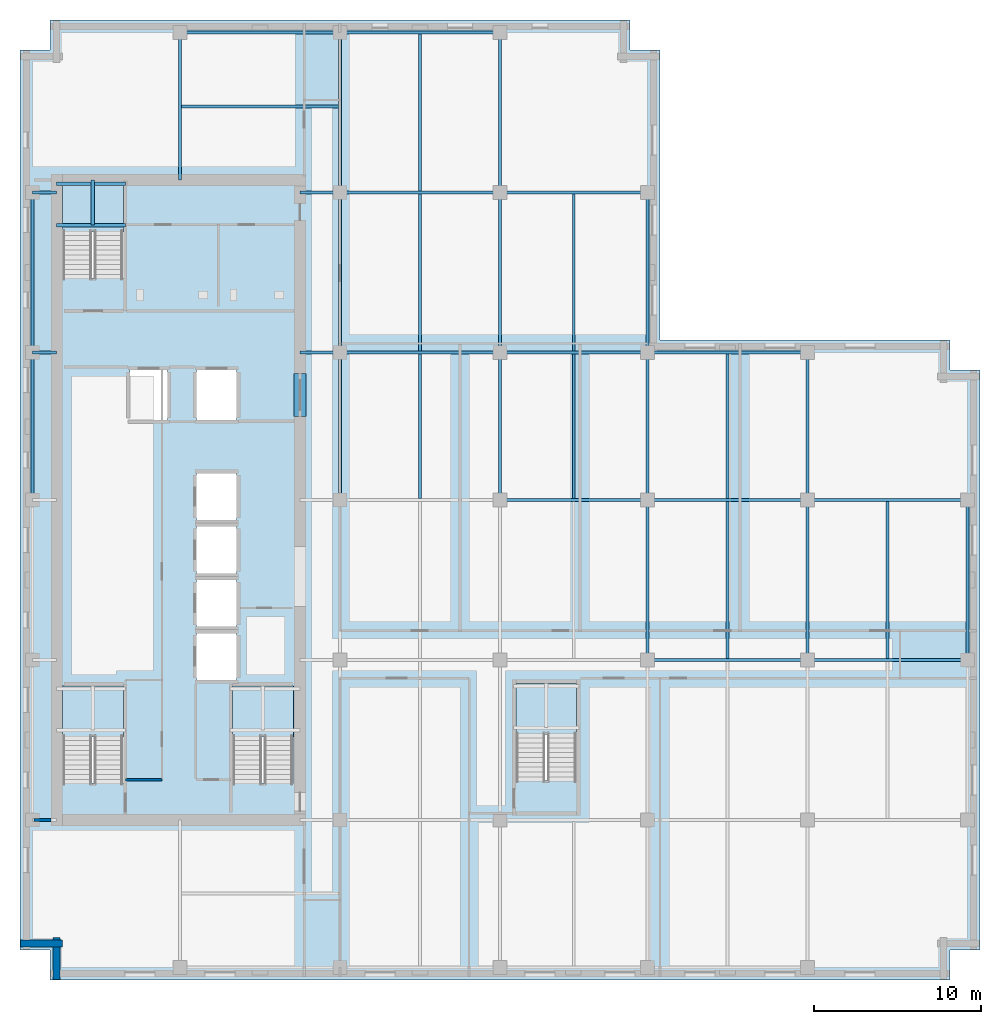
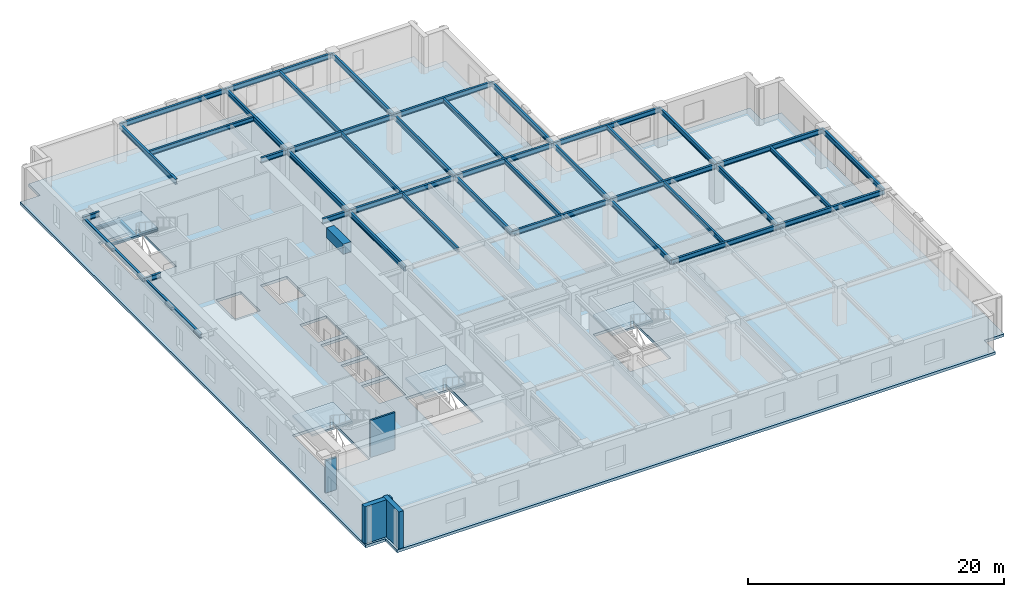
# One storey, part 2 of 11: 44 beams, 5 slabs, 4 walls, 4 elements without a shape of their own.
"""IFC4 building model written with IfcOpenShell, lengths in metres."""

from ifc_helpers import new_model, si_unit, direction, frame, frame_2d, origin, origin_2d, place, context, subcontext, project, spatial, polyline, rectangle, i_section, outline, extrude, material, layer, layer_set, material_profile, profile_set, type_object, element, aggregate, save


model = new_model("IFC4")

# Units and contexts
model_context = context("Model", 3, precision=1e-05, world=origin(), true_north=direction((0.0, 1.0)))
body_context = subcontext(model_context, "Body", "Model", "MODEL_VIEW")
ifc_project = project(units=[si_unit("LENGTHUNIT", "METRE"), si_unit("AREAUNIT", "SQUARE_METRE"), si_unit("VOLUMEUNIT", "CUBIC_METRE"), si_unit("PLANEANGLEUNIT", "RADIAN"), si_unit("MASSUNIT", "GRAM", prefix="KILO")], contexts=[model_context])

# Site, building, storey
site_placement = place(None, origin())
site = spatial("IfcSite", under=ifc_project, at=site_placement, CompositionType="ELEMENT")
building_placement = place(site_placement, origin())
building = spatial("IfcBuilding", under=site, at=building_placement, Name="Norrvale University Quadrangle", CompositionType="ELEMENT")
storey_placement = place(building_placement, frame((0.0, 0.0, 210.39990234375)))
storey = spatial("IfcBuildingStorey", under=building, at=storey_placement, Name="L53", CompositionType="ELEMENT", Elevation=210.39990234375)

# Beams
ifc_material_1 = material(Name="Concrete C80/95", Category="concrete")
ifc_material_profile_1 = material_profile(ifc_material_1, rectangle(XDim=0.699951171875, YDim=0.949951171875, at=origin_2d()), Name="Concrete C80/95")
ifc_profile_set_1 = profile_set([ifc_material_profile_1], Name="Concrete C80/95")
beam_type_1 = type_object("IfcBeamType", Name="Beam Core Link 700x950", PredefinedType="LINTEL", material=ifc_profile_set_1)
beam_1_placement = place(storey_placement, frame((16.800048828125, 33.800048828125, 3.065185546875), z_axis=(0.0, 1.0, 0.0), x_axis=(-1.0, 0.0, 0.0)))
element("IfcBeam", 1, at=beam_1_placement, inside=storey, type_object=beam_type_1, Name="Core Coupling Lintel Beam L53-2", PredefinedType="LINTEL", context=body_context, shape_type="SweptSolid", body=[
    extrude(rectangle(XDim=0.699951171875, YDim=0.949951171875, at=origin_2d()), origin(), (0.0, 0.0, 1.0), 2.599853515625),
])
ifc_material_2 = material(Name="Steel 350W", Category="steel")
ifc_material_profile_2 = material_profile(ifc_material_2, i_section(OverallWidth=0.194091796875, OverallDepth=0.468994140625, WebThickness=0.0126953125, FlangeThickness=0.0205078125, FilletRadius=0.012939453125, at=origin_2d()), Name="Steel 350W")
ifc_profile_set_2 = profile_set([ifc_material_profile_2], Name="Steel 350W")
beam_type_2 = type_object("IfcBeamType", Name="Beam Floor W460x106", PredefinedType="BEAM", material=ifc_profile_set_2)
for number, where, z_axis, x_axis, name in (
    (2, (37.64990234375, 19.199951171875, 3.3056640625), (1.0, 0.0, 0.0), (0.0, 1.0, 0.0), "Beam Floor W460x106 BM-L53-GX011"),
    (3, (47.25, 19.199951171875, 3.3056640625), (1.0, 0.0, 0.0), (0.0, 1.0, 0.0), "Beam Floor W460x106 BM-L53-GX012"),
):
    element("IfcBeam", number, at=place(storey_placement, frame(where, z_axis=z_axis, x_axis=x_axis)), inside=storey, type_object=beam_type_2, Name=name, PredefinedType="BEAM", context=body_context, shape_type="SweptSolid", body=[
        extrude(i_section(OverallWidth=0.194091796875, OverallDepth=0.468994140625, WebThickness=0.0126953125, FlangeThickness=0.0205078125, FilletRadius=0.012939453125, at=origin_2d()), origin(), (0.0, 0.0, 1.0), 9.60009765625),
    ])
beam_2_placement = place(storey_placement, frame((28.800048828125, 28.800048828125, 3.3056640625), z_axis=(1.0, 0.0, 0.0), x_axis=(0.0, 1.0, 0.0)))
element("IfcBeam", 4, at=beam_2_placement, inside=storey, type_object=beam_type_2, Name="Beam Floor W460x106 BM-L53-GX014", PredefinedType="BEAM", context=body_context, shape_type="SweptSolid", body=[
    extrude(i_section(OverallWidth=0.194091796875, OverallDepth=0.468994140625, WebThickness=0.0126953125, FlangeThickness=0.0205078125, FilletRadius=0.012939453125, at=origin_2d()), origin(), (0.0, 0.0, 1.0), 8.849853515625),
])
for number, where, z_axis, x_axis, name in (
    (5, (37.64990234375, 28.800048828125, 3.3056640625), (1.0, 0.0, 0.0), (0.0, 1.0, 0.0), "Beam Floor W460x106 BM-L53-GX015"),
    (6, (47.25, 28.800048828125, 3.3056640625), (1.0, 0.0, 0.0), (0.0, 1.0, 0.0), "Beam Floor W460x106 BM-L53-GX016"),
    (7, (19.199951171875, 37.64990234375, 3.3056640625), (1.0, 0.0, 0.0), (0.0, 1.0, 0.0), "Beam Floor W460x106 BM-L53-GX017"),
):
    element("IfcBeam", number, at=place(storey_placement, frame(where, z_axis=z_axis, x_axis=x_axis)), inside=storey, type_object=beam_type_2, Name=name, PredefinedType="BEAM", context=body_context, shape_type="SweptSolid", body=[
        extrude(i_section(OverallWidth=0.194091796875, OverallDepth=0.468994140625, WebThickness=0.0126953125, FlangeThickness=0.0205078125, FilletRadius=0.012939453125, at=origin_2d()), origin(), (0.0, 0.0, 1.0), 9.60009765625),
    ])
beam_3_placement = place(storey_placement, frame((28.800048828125, 37.64990234375, 3.3056640625), z_axis=(1.0, 0.0, 0.0), x_axis=(0.0, 1.0, 0.0)))
element("IfcBeam", 8, at=beam_3_placement, inside=storey, type_object=beam_type_2, Name="Beam Floor W460x106 BM-L53-GX018", PredefinedType="BEAM", context=body_context, shape_type="SweptSolid", body=[
    extrude(i_section(OverallWidth=0.194091796875, OverallDepth=0.468994140625, WebThickness=0.0126953125, FlangeThickness=0.0205078125, FilletRadius=0.012939453125, at=origin_2d()), origin(), (0.0, 0.0, 1.0), 8.849853515625),
])
for number, where, z_axis, x_axis, name in (
    (9, (37.64990234375, 37.64990234375, 3.3056640625), (1.0, 0.0, 0.0), (0.0, 1.0, 0.0), "Beam Floor W460x106 BM-L53-GX019"),
    (10, (19.199951171875, 47.25, 3.3056640625), (1.0, 0.0, 0.0), (0.0, 1.0, 0.0), "Beam Floor W460x106 BM-L53-GX020"),
):
    element("IfcBeam", number, at=place(storey_placement, frame(where, z_axis=z_axis, x_axis=x_axis)), inside=storey, type_object=beam_type_2, Name=name, PredefinedType="BEAM", context=body_context, shape_type="SweptSolid", body=[
        extrude(i_section(OverallWidth=0.194091796875, OverallDepth=0.468994140625, WebThickness=0.0126953125, FlangeThickness=0.0205078125, FilletRadius=0.012939453125, at=origin_2d()), origin(), (0.0, 0.0, 1.0), 9.60009765625),
    ])
beam_4_placement = place(storey_placement, frame((28.800048828125, 47.25, 3.3056640625), z_axis=(1.0, 0.0, 0.0), x_axis=(0.0, 1.0, 0.0)))
element("IfcBeam", 11, at=beam_4_placement, inside=storey, type_object=beam_type_2, Name="Beam Floor W460x106 BM-L53-GX021", PredefinedType="BEAM", context=body_context, shape_type="SweptSolid", body=[
    extrude(i_section(OverallWidth=0.194091796875, OverallDepth=0.468994140625, WebThickness=0.0126953125, FlangeThickness=0.0205078125, FilletRadius=0.012939453125, at=origin_2d()), origin(), (0.0, 0.0, 1.0), 8.849853515625),
])
beam_5_placement = place(storey_placement, frame((9.60009765625, 56.85009765625, 3.3056640625), z_axis=(1.0, 0.0, 0.0), x_axis=(0.0, 1.0, 0.0)))
element("IfcBeam", 12, at=beam_5_placement, inside=storey, type_object=beam_type_2, Name="Beam Floor W460x106 BM-L53-GX022", PredefinedType="BEAM", context=body_context, shape_type="SweptSolid", body=[
    extrude(i_section(OverallWidth=0.194091796875, OverallDepth=0.468994140625, WebThickness=0.0126953125, FlangeThickness=0.0205078125, FilletRadius=0.012939453125, at=origin_2d()), origin(), (0.0, 0.0, 1.0), 9.599853515625),
])
beam_6_placement = place(storey_placement, frame((19.199951171875, 56.85009765625, 3.3056640625), z_axis=(1.0, 0.0, 0.0), x_axis=(0.0, 1.0, 0.0)))
element("IfcBeam", 13, at=beam_6_placement, inside=storey, type_object=beam_type_2, Name="Beam Floor W460x106 BM-L53-GX023", PredefinedType="BEAM", context=body_context, shape_type="SweptSolid", body=[
    extrude(i_section(OverallWidth=0.194091796875, OverallDepth=0.468994140625, WebThickness=0.0126953125, FlangeThickness=0.0205078125, FilletRadius=0.012939453125, at=origin_2d()), origin(), (0.0, 0.0, 1.0), 9.60009765625),
])
beam_7_placement = place(storey_placement, frame((0.75, 28.800048828125, 3.3056640625), z_axis=(0.0, 1.0, 0.0), x_axis=(-1.0, 0.0, 0.0)))
element("IfcBeam", 14, at=beam_7_placement, inside=storey, type_object=beam_type_2, Name="Beam Floor W460x106 BM-L53-GY026", PredefinedType="BEAM", context=body_context, shape_type="SweptSolid", body=[
    extrude(i_section(OverallWidth=0.194091796875, OverallDepth=0.468994140625, WebThickness=0.0126953125, FlangeThickness=0.0205078125, FilletRadius=0.012939453125, at=origin_2d()), origin(), (0.0, 0.0, 1.0), 8.849853515625),
])
beam_8_placement = place(storey_placement, frame((0.75, 37.64990234375, 3.3056640625), z_axis=(0.0, 1.0, 0.0), x_axis=(-1.0, 0.0, 0.0)))
element("IfcBeam", 15, at=beam_8_placement, inside=storey, type_object=beam_type_2, Name="Beam Floor W460x106 BM-L53-GY027", PredefinedType="BEAM", context=body_context, shape_type="SweptSolid", body=[
    extrude(i_section(OverallWidth=0.194091796875, OverallDepth=0.468994140625, WebThickness=0.0126953125, FlangeThickness=0.0205078125, FilletRadius=0.012939453125, at=origin_2d()), origin(), (0.0, 0.0, 1.0), 9.60009765625),
])
beam_9_placement = place(storey_placement, frame((19.199951171875, 28.800048828125, 3.3056640625), z_axis=(0.0, 1.0, 0.0), x_axis=(-1.0, 0.0, 0.0)))
element("IfcBeam", 16, at=beam_9_placement, inside=storey, type_object=beam_type_2, Name="Beam Floor W460x106 BM-L53-GY031", PredefinedType="BEAM", context=body_context, shape_type="SweptSolid", body=[
    extrude(i_section(OverallWidth=0.194091796875, OverallDepth=0.468994140625, WebThickness=0.0126953125, FlangeThickness=0.0205078125, FilletRadius=0.012939453125, at=origin_2d()), origin(), (0.0, 0.0, 1.0), 8.849853515625),
])
for number, where, z_axis, x_axis, name in (
    (17, (19.199951171875, 37.64990234375, 3.3056640625), (0.0, 1.0, 0.0), (-1.0, 0.0, 0.0), "Beam Floor W460x106 BM-L53-GY032"),
    (18, (19.199951171875, 47.25, 3.3056640625), (0.0, 1.0, 0.0), (-1.0, 0.0, 0.0), "Beam Floor W460x106 BM-L53-GY033"),
):
    element("IfcBeam", number, at=place(storey_placement, frame(where, z_axis=z_axis, x_axis=x_axis)), inside=storey, type_object=beam_type_2, Name=name, PredefinedType="BEAM", context=body_context, shape_type="SweptSolid", body=[
        extrude(i_section(OverallWidth=0.194091796875, OverallDepth=0.468994140625, WebThickness=0.0126953125, FlangeThickness=0.0205078125, FilletRadius=0.012939453125, at=origin_2d()), origin(), (0.0, 0.0, 1.0), 9.60009765625),
    ])
beam_10_placement = place(storey_placement, frame((28.800048828125, 28.800048828125, 3.3056640625), z_axis=(0.0, 1.0, 0.0), x_axis=(-1.0, 0.0, 0.0)))
element("IfcBeam", 19, at=beam_10_placement, inside=storey, type_object=beam_type_2, Name="Beam Floor W460x106 BM-L53-GY037", PredefinedType="BEAM", context=body_context, shape_type="SweptSolid", body=[
    extrude(i_section(OverallWidth=0.194091796875, OverallDepth=0.468994140625, WebThickness=0.0126953125, FlangeThickness=0.0205078125, FilletRadius=0.012939453125, at=origin_2d()), origin(), (0.0, 0.0, 1.0), 8.849853515625),
])
for number, where, z_axis, x_axis, name in (
    (20, (28.800048828125, 37.64990234375, 3.3056640625), (0.0, 1.0, 0.0), (-1.0, 0.0, 0.0), "Beam Floor W460x106 BM-L53-GY038"),
    (21, (28.800048828125, 47.25, 3.3056640625), (0.0, 1.0, 0.0), (-1.0, 0.0, 0.0), "Beam Floor W460x106 BM-L53-GY039"),
    (22, (37.64990234375, 19.199951171875, 3.3056640625), (0.0, 1.0, 0.0), (-1.0, 0.0, 0.0), "Beam Floor W460x106 BM-L53-GY042"),
):
    element("IfcBeam", number, at=place(storey_placement, frame(where, z_axis=z_axis, x_axis=x_axis)), inside=storey, type_object=beam_type_2, Name=name, PredefinedType="BEAM", context=body_context, shape_type="SweptSolid", body=[
        extrude(i_section(OverallWidth=0.194091796875, OverallDepth=0.468994140625, WebThickness=0.0126953125, FlangeThickness=0.0205078125, FilletRadius=0.012939453125, at=origin_2d()), origin(), (0.0, 0.0, 1.0), 9.60009765625),
    ])
beam_11_placement = place(storey_placement, frame((37.64990234375, 28.800048828125, 3.3056640625), z_axis=(0.0, 1.0, 0.0), x_axis=(-1.0, 0.0, 0.0)))
element("IfcBeam", 23, at=beam_11_placement, inside=storey, type_object=beam_type_2, Name="Beam Floor W460x106 BM-L53-GY043", PredefinedType="BEAM", context=body_context, shape_type="SweptSolid", body=[
    extrude(i_section(OverallWidth=0.194091796875, OverallDepth=0.468994140625, WebThickness=0.0126953125, FlangeThickness=0.0205078125, FilletRadius=0.012939453125, at=origin_2d()), origin(), (0.0, 0.0, 1.0), 8.849853515625),
])
for number, where, z_axis, x_axis, name in (
    (24, (37.64990234375, 37.64990234375, 3.3056640625), (0.0, 1.0, 0.0), (-1.0, 0.0, 0.0), "Beam Floor W460x106 BM-L53-GY044"),
    (25, (47.25, 19.199951171875, 3.3056640625), (0.0, 1.0, 0.0), (-1.0, 0.0, 0.0), "Beam Floor W460x106 BM-L53-GY047"),
):
    element("IfcBeam", number, at=place(storey_placement, frame(where, z_axis=z_axis, x_axis=x_axis)), inside=storey, type_object=beam_type_2, Name=name, PredefinedType="BEAM", context=body_context, shape_type="SweptSolid", body=[
        extrude(i_section(OverallWidth=0.194091796875, OverallDepth=0.468994140625, WebThickness=0.0126953125, FlangeThickness=0.0205078125, FilletRadius=0.012939453125, at=origin_2d()), origin(), (0.0, 0.0, 1.0), 9.60009765625),
    ])
beam_12_placement = place(storey_placement, frame((47.25, 28.800048828125, 3.3056640625), z_axis=(0.0, 1.0, 0.0), x_axis=(-1.0, 0.0, 0.0)))
element("IfcBeam", 26, at=beam_12_placement, inside=storey, type_object=beam_type_2, Name="Beam Floor W460x106 BM-L53-GY048", PredefinedType="BEAM", context=body_context, shape_type="SweptSolid", body=[
    extrude(i_section(OverallWidth=0.194091796875, OverallDepth=0.468994140625, WebThickness=0.0126953125, FlangeThickness=0.0205078125, FilletRadius=0.012939453125, at=origin_2d()), origin(), (0.0, 0.0, 1.0), 8.849853515625),
])
beam_13_placement = place(storey_placement, frame((56.85009765625, 19.199951171875, 3.3056640625), z_axis=(0.0, 1.0, 0.0), x_axis=(-1.0, 0.0, 0.0)))
element("IfcBeam", 27, at=beam_13_placement, inside=storey, type_object=beam_type_2, Name="Beam Floor W460x106 BM-L53-GY050", PredefinedType="BEAM", context=body_context, shape_type="SweptSolid", body=[
    extrude(i_section(OverallWidth=0.194091796875, OverallDepth=0.468994140625, WebThickness=0.0126953125, FlangeThickness=0.0205078125, FilletRadius=0.012939453125, at=origin_2d()), origin(), (0.0, 0.0, 1.0), 9.60009765625),
])
beam_14_placement = place(storey_placement, frame((0.75, 37.64990234375, 3.3056640625), z_axis=(1.0, 0.0, 0.0), x_axis=(0.0, 1.0, 0.0)))
element("IfcBeam", 28, at=beam_14_placement, inside=storey, type_object=beam_type_2, Name="Beam Floor W460x106 BM-L53-GCW057", PredefinedType="BEAM", context=body_context, shape_type="SweptSolid", body=[
    extrude(i_section(OverallWidth=0.194091796875, OverallDepth=0.468994140625, WebThickness=0.0126953125, FlangeThickness=0.0205078125, FilletRadius=0.012939453125, at=origin_2d()), origin(), (0.0, 0.0, 1.0), 1.449951171875),
])
beam_15_placement = place(storey_placement, frame((16.800048828125, 37.64990234375, 3.3056640625), z_axis=(1.0, 0.0, 0.0), x_axis=(0.0, 1.0, 0.0)))
element("IfcBeam", 29, at=beam_15_placement, inside=storey, type_object=beam_type_2, Name="Beam Floor W460x106 BM-L53-GCE058", PredefinedType="BEAM", context=body_context, shape_type="SweptSolid", body=[
    extrude(i_section(OverallWidth=0.194091796875, OverallDepth=0.468994140625, WebThickness=0.0126953125, FlangeThickness=0.0205078125, FilletRadius=0.012939453125, at=origin_2d()), origin(), (0.0, 0.0, 1.0), 2.39990234375),
])
beam_16_placement = place(storey_placement, frame((0.75, 47.25, 3.3056640625), z_axis=(1.0, 0.0, 0.0), x_axis=(0.0, 1.0, 0.0)))
element("IfcBeam", 30, at=beam_16_placement, inside=storey, type_object=beam_type_2, Name="Beam Floor W460x106 BM-L53-GCW059", PredefinedType="BEAM", context=body_context, shape_type="SweptSolid", body=[
    extrude(i_section(OverallWidth=0.194091796875, OverallDepth=0.468994140625, WebThickness=0.0126953125, FlangeThickness=0.0205078125, FilletRadius=0.012939453125, at=origin_2d()), origin(), (0.0, 0.0, 1.0), 1.449951171875),
])
beam_17_placement = place(storey_placement, frame((16.800048828125, 47.25, 3.3056640625), z_axis=(1.0, 0.0, 0.0), x_axis=(0.0, 1.0, 0.0)))
element("IfcBeam", 31, at=beam_17_placement, inside=storey, type_object=beam_type_2, Name="Beam Floor W460x106 BM-L53-GCE060", PredefinedType="BEAM", context=body_context, shape_type="SweptSolid", body=[
    extrude(i_section(OverallWidth=0.194091796875, OverallDepth=0.468994140625, WebThickness=0.0126953125, FlangeThickness=0.0205078125, FilletRadius=0.012939453125, at=origin_2d()), origin(), (0.0, 0.0, 1.0), 2.39990234375),
])
beam_18_placement = place(storey_placement, frame((9.60009765625, 48.0, 3.3056640625), z_axis=(0.0, 1.0, 0.0), x_axis=(-1.0, 0.0, 0.0)))
element("IfcBeam", 32, at=beam_18_placement, inside=storey, type_object=beam_type_2, Name="Beam Floor W460x106 BM-L53-GCN079", PredefinedType="BEAM", context=body_context, shape_type="SweptSolid", body=[
    extrude(i_section(OverallWidth=0.194091796875, OverallDepth=0.468994140625, WebThickness=0.0126953125, FlangeThickness=0.0205078125, FilletRadius=0.012939453125, at=origin_2d()), origin(), (0.0, 0.0, 1.0), 8.85009765625),
])
ifc_material_profile_3 = material_profile(ifc_material_2, i_section(OverallWidth=0.177978515625, OverallDepth=0.406982421875, WebThickness=0.0078125, FlangeThickness=0.0126953125, FilletRadius=0.011962890625, at=origin_2d()), Name="Steel 350W")
ifc_profile_set_3 = profile_set([ifc_material_profile_3], Name="Steel 350W")
beam_type_3 = type_object("IfcBeamType", Name="Beam Roof Purlin W410x60", PredefinedType="USERDEFINED", material=ifc_profile_set_3)
beam_19_placement = place(storey_placement, frame((24.0, 28.89697265625, 3.336669921875), z_axis=(0.0, 1.0, 0.0), x_axis=(-1.0, 0.0, 0.0)))
element("IfcBeam", 33, at=beam_19_placement, inside=storey, type_object=beam_type_3, Name="Beam Roof Purlin W410x60 BM-L53-J064", ObjectType="PURLIN", PredefinedType="USERDEFINED", context=body_context, shape_type="SweptSolid", body=[
    extrude(i_section(OverallWidth=0.177978515625, OverallDepth=0.406982421875, WebThickness=0.0078125, FlangeThickness=0.0126953125, FilletRadius=0.011962890625, at=origin_2d()), origin(), (0.0, 0.0, 1.0), 8.656005859375),
])
for number, where, z_axis, x_axis, name in (
    (34, (24.0, 37.7470703125, 3.336669921875), (0.0, 1.0, 0.0), (-1.0, 0.0, 0.0), "Beam Roof Purlin W410x60 BM-L53-J065"),
    (35, (24.0, 47.346923828125, 3.336669921875), (0.0, 1.0, 0.0), (-1.0, 0.0, 0.0), "Beam Roof Purlin W410x60 BM-L53-J066"),
):
    element("IfcBeam", number, at=place(storey_placement, frame(where, z_axis=z_axis, x_axis=x_axis)), inside=storey, type_object=beam_type_3, Name=name, ObjectType="PURLIN", PredefinedType="USERDEFINED", context=body_context, shape_type="SweptSolid", body=[
        extrude(i_section(OverallWidth=0.177978515625, OverallDepth=0.406982421875, WebThickness=0.0078125, FlangeThickness=0.0126953125, FilletRadius=0.011962890625, at=origin_2d()), origin(), (0.0, 0.0, 1.0), 9.406005859375),
    ])
beam_20_placement = place(storey_placement, frame((33.22509765625, 28.89697265625, 3.336669921875), z_axis=(0.0, 1.0, 0.0), x_axis=(-1.0, 0.0, 0.0)))
element("IfcBeam", 36, at=beam_20_placement, inside=storey, type_object=beam_type_3, Name="Beam Roof Purlin W410x60 BM-L53-J069", ObjectType="PURLIN", PredefinedType="USERDEFINED", context=body_context, shape_type="SweptSolid", body=[
    extrude(i_section(OverallWidth=0.177978515625, OverallDepth=0.406982421875, WebThickness=0.0078125, FlangeThickness=0.0126953125, FilletRadius=0.011962890625, at=origin_2d()), origin(), (0.0, 0.0, 1.0), 8.656005859375),
])
beam_21_placement = place(storey_placement, frame((33.22509765625, 37.7470703125, 3.336669921875), z_axis=(0.0, 1.0, 0.0), x_axis=(-1.0, 0.0, 0.0)))
element("IfcBeam", 37, at=beam_21_placement, inside=storey, type_object=beam_type_3, Name="Beam Roof Purlin W410x60 BM-L53-J070", ObjectType="PURLIN", PredefinedType="USERDEFINED", context=body_context, shape_type="SweptSolid", body=[
    extrude(i_section(OverallWidth=0.177978515625, OverallDepth=0.406982421875, WebThickness=0.0078125, FlangeThickness=0.0126953125, FilletRadius=0.011962890625, at=origin_2d()), origin(), (0.0, 0.0, 1.0), 9.406005859375),
])
beam_22_placement = place(storey_placement, frame((42.449951171875, 19.297119140625, 3.336669921875), z_axis=(0.0, 1.0, 0.0), x_axis=(-1.0, 0.0, 0.0)))
element("IfcBeam", 38, at=beam_22_placement, inside=storey, type_object=beam_type_3, Name="Beam Roof Purlin W410x60 BM-L53-J073", ObjectType="PURLIN", PredefinedType="USERDEFINED", context=body_context, shape_type="SweptSolid", body=[
    extrude(i_section(OverallWidth=0.177978515625, OverallDepth=0.406982421875, WebThickness=0.0078125, FlangeThickness=0.0126953125, FilletRadius=0.011962890625, at=origin_2d()), origin(), (0.0, 0.0, 1.0), 9.40576171875),
])
beam_23_placement = place(storey_placement, frame((42.449951171875, 28.89697265625, 3.336669921875), z_axis=(0.0, 1.0, 0.0), x_axis=(-1.0, 0.0, 0.0)))
element("IfcBeam", 39, at=beam_23_placement, inside=storey, type_object=beam_type_3, Name="Beam Roof Purlin W410x60 BM-L53-J074", ObjectType="PURLIN", PredefinedType="USERDEFINED", context=body_context, shape_type="SweptSolid", body=[
    extrude(i_section(OverallWidth=0.177978515625, OverallDepth=0.406982421875, WebThickness=0.0078125, FlangeThickness=0.0126953125, FilletRadius=0.011962890625, at=origin_2d()), origin(), (0.0, 0.0, 1.0), 8.656005859375),
])
beam_24_placement = place(storey_placement, frame((52.050048828125, 19.297119140625, 3.336669921875), z_axis=(0.0, 1.0, 0.0), x_axis=(-1.0, 0.0, 0.0)))
element("IfcBeam", 40, at=beam_24_placement, inside=storey, type_object=beam_type_3, Name="Beam Roof Purlin W410x60 BM-L53-J076", ObjectType="PURLIN", PredefinedType="USERDEFINED", context=body_context, shape_type="SweptSolid", body=[
    extrude(i_section(OverallWidth=0.177978515625, OverallDepth=0.406982421875, WebThickness=0.0078125, FlangeThickness=0.0126953125, FilletRadius=0.011962890625, at=origin_2d()), origin(), (0.0, 0.0, 1.0), 9.40576171875),
])
beam_25_placement = place(storey_placement, frame((9.697021484375, 52.39990234375, 3.336669921875), z_axis=(1.0, 0.0, 0.0), x_axis=(0.0, 1.0, 0.0)))
element("IfcBeam", 41, at=beam_25_placement, inside=storey, type_object=beam_type_3, Name="Beam Roof Purlin W410x60 BM-L53-JCN080", ObjectType="PURLIN", PredefinedType="USERDEFINED", context=body_context, shape_type="SweptSolid", body=[
    extrude(i_section(OverallWidth=0.177978515625, OverallDepth=0.406982421875, WebThickness=0.0078125, FlangeThickness=0.0126953125, FilletRadius=0.011962890625, at=origin_2d()), origin(), (0.0, 0.0, 1.0), 9.406005859375),
])
ifc_material_profile_4 = material_profile(ifc_material_2, i_section(OverallWidth=0.201904296875, OverallDepth=0.2470703125, WebThickness=0.00732421875, FlangeThickness=0.010986328125, FilletRadius=0.011962890625, at=origin_2d()), Name="Steel 350W")
ifc_profile_set_4 = profile_set([ifc_material_profile_4], Name="Steel 350W")
beam_type_4 = type_object("IfcBeamType", Name="Beam Stair W250x49", PredefinedType="BEAM", material=ifc_profile_set_4)
for number, where, z_axis, x_axis, name in (
    (42, (2.199951171875, 45.2900390625, 1.57666015625), (1.0, 0.0, 0.0), (0.0, 1.0, 0.0), "Stair Mid-Landing Front Beam ST-02 L53"),
    (43, (2.199951171875, 47.77001953125, 1.57666015625), (1.0, 0.0, 0.0), (0.0, 1.0, 0.0), "Stair Mid-Landing Rear Beam ST-02 L53"),
):
    element("IfcBeam", number, at=place(storey_placement, frame(where, z_axis=z_axis, x_axis=x_axis)), inside=storey, type_object=beam_type_4, Name=name, PredefinedType="BEAM", context=body_context, shape_type="SweptSolid", body=[
        extrude(i_section(OverallWidth=0.201904296875, OverallDepth=0.2470703125, WebThickness=0.00732421875, FlangeThickness=0.010986328125, FilletRadius=0.011962890625, at=origin_2d()), origin(), (0.0, 0.0, 1.0), 4.14013671875),
    ])
ifc_material_profile_5 = material_profile(ifc_material_2, i_section(OverallWidth=0.202880859375, OverallDepth=0.202880859375, WebThickness=0.007080078125, FlangeThickness=0.010986328125, FilletRadius=0.010009765625, at=origin_2d()), Name="Steel 350W")
ifc_profile_set_5 = profile_set([ifc_material_profile_5], Name="Steel 350W")
beam_type_5 = type_object("IfcBeamType", Name="Beam Trim W200x46", PredefinedType="BEAM", material=ifc_profile_set_5)
beam_26_placement = place(storey_placement, frame((4.375, 45.2900390625, 1.5986328125), z_axis=(0.0, 1.0, 0.0), x_axis=(-1.0, 0.0, 0.0)))
element("IfcBeam", 44, at=beam_26_placement, inside=storey, type_object=beam_type_5, Name="Stair Mid-Landing Cross Beam ST-02 L53", PredefinedType="BEAM", context=body_context, shape_type="SweptSolid", body=[
    extrude(i_section(OverallWidth=0.202880859375, OverallDepth=0.202880859375, WebThickness=0.007080078125, FlangeThickness=0.010986328125, FilletRadius=0.010009765625, at=origin_2d()), origin(), (0.0, 0.0, 1.0), 2.7099609375),
])

# Stair, slab
ifc_material_3 = material(Name="Concrete C40/50", Category="concrete")
stair_type = type_object("IfcStairType", Name="Stair Tower Typ 3800", PredefinedType="TWO_STRAIGHT_RUN_STAIR", material=ifc_material_3)
stair_1_placement = place(storey_placement, origin())
stair_1 = element("IfcStair", 45, at=stair_1_placement, inside=storey, type_object=stair_type, Name="Exit Stair ST-01 L53", PredefinedType="TWO_STRAIGHT_RUN_STAIR")
ifc_layer_1 = layer(ifc_material_3, 0.199951171875, Name="Concrete C40/50")
ifc_layer_set_1 = layer_set([ifc_layer_1], Name="Concrete C40/50")
slab_type_1 = type_object("IfcSlabType", Name="Slab Landing 200", PredefinedType="LANDING", material=ifc_layer_set_1)
slab_1_placement = place(storey_placement, frame((0.0, 0.0, 1.7001953125)))
slab_1 = element("IfcSlab", 46, at=slab_1_placement, type_object=slab_type_1, Name="Exit Stair ST-01 L53 Mid Landing", PredefinedType="LANDING", context=body_context, shape_type="SweptSolid", body=[
    extrude(outline(polyline([(2.550048828125, 14.590087890625), (6.199951171875, 14.590087890625), (6.199951171875, 17.64990234375), (2.550048828125, 17.64990234375), (2.550048828125, 14.590087890625)])), origin(), (0.0, 0.0, 1.0), 0.199951171875),
])
aggregate(stair_1, [slab_1])

stair_2_placement = place(storey_placement, origin())
stair_2 = element("IfcStair", 47, at=stair_2_placement, inside=storey, type_object=stair_type, Name="Exit Stair ST-02 L53", PredefinedType="TWO_STRAIGHT_RUN_STAIR")
slab_2_placement = place(storey_placement, frame((0.0, 0.0, 1.7001953125)))
slab_2 = element("IfcSlab", 48, at=slab_2_placement, type_object=slab_type_1, Name="Exit Stair ST-02 L53 Mid Landing", PredefinedType="LANDING", context=body_context, shape_type="SweptSolid", body=[
    extrude(outline(polyline([(2.550048828125, 44.889892578125), (6.199951171875, 44.889892578125), (6.199951171875, 47.949951171875), (2.550048828125, 47.949951171875), (2.550048828125, 44.889892578125)])), origin(), (0.0, 0.0, 1.0), 0.199951171875),
])
aggregate(stair_2, [slab_2])

stair_3_placement = place(storey_placement, origin())
stair_3 = element("IfcStair", 49, at=stair_3_placement, inside=storey, type_object=stair_type, Name="Exit Stair ST-03 L53", PredefinedType="TWO_STRAIGHT_RUN_STAIR")
slab_3_placement = place(storey_placement, frame((0.0, 0.0, 1.7001953125)))
slab_3 = element("IfcSlab", 50, at=slab_3_placement, type_object=slab_type_1, Name="Exit Stair ST-03 L53 Mid Landing", PredefinedType="LANDING", context=body_context, shape_type="SweptSolid", body=[
    extrude(outline(polyline([(12.75, 14.590087890625), (16.39990234375, 14.590087890625), (16.39990234375, 17.64990234375), (12.75, 17.64990234375), (12.75, 14.590087890625)])), origin(), (0.0, 0.0, 1.0), 0.199951171875),
])
aggregate(stair_3, [slab_3])

stair_4_placement = place(storey_placement, origin())
stair_4 = element("IfcStair", 51, at=stair_4_placement, inside=storey, type_object=stair_type, Name="Exit Stair ST-04 L53", PredefinedType="TWO_STRAIGHT_RUN_STAIR")
slab_4_placement = place(storey_placement, frame((0.0, 0.0, 1.7001953125)))
slab_4 = element("IfcSlab", 52, at=slab_4_placement, type_object=slab_type_1, Name="Exit Stair ST-04 L53 Mid Landing", PredefinedType="LANDING", context=body_context, shape_type="SweptSolid", body=[
    extrude(outline(polyline([(29.75, 14.739990234375), (33.39990234375, 14.739990234375), (33.39990234375, 17.800048828125), (29.75, 17.800048828125), (29.75, 14.739990234375)])), origin(), (0.0, 0.0, 1.0), 0.199951171875),
])
aggregate(stair_4, [slab_4])

# Slab
ifc_layer_2 = layer(ifc_material_3, 0.260009765625, Name="Concrete C40/50")
ifc_layer_set_2 = layer_set([ifc_layer_2], Name="Concrete C40/50")
slab_type_2 = type_object("IfcSlabType", Name="Slab Tower Typ 260", PredefinedType="FLOOR", material=ifc_layer_set_2)
slab_5_placement = place(storey_placement, frame((0.0, 0.0, -0.260009765625)))
element("IfcSlab", 53, at=slab_5_placement, inside=storey, type_object=slab_type_2, Name="Tower L53 Floor Slab", PredefinedType="FLOOR", context=body_context, shape_type="SweptSolid", body=[
    extrude(outline(polyline([(1.800048828125, 0.0), (55.800048828125, 0.0), (55.800048828125, 1.800048828125), (57.60009765625, 1.800048828125), (57.60009765625, 36.60009765625), (55.800048828125, 36.60009765625), (55.800048828125, 38.39990234375), (38.39990234375, 38.39990234375), (38.39990234375, 55.800048828125), (36.60009765625, 55.800048828125), (36.60009765625, 57.60009765625), (1.800048828125, 57.60009765625), (1.800048828125, 55.800048828125), (0.0, 55.800048828125), (0.0, 1.800048828125), (1.800048828125, 1.800048828125), (1.800048828125, 0.0)]), holes=[polyline([(2.550048828125, 11.81005859375), (6.199951171875, 11.81005859375), (6.199951171875, 17.64990234375), (2.550048828125, 17.64990234375), (2.550048828125, 11.81005859375)]), polyline([(2.550048828125, 42.110107421875), (6.199951171875, 42.110107421875), (6.199951171875, 47.949951171875), (2.550048828125, 47.949951171875), (2.550048828125, 42.110107421875)]), polyline([(12.75, 11.81005859375), (16.39990234375, 11.81005859375), (16.39990234375, 17.64990234375), (12.75, 17.64990234375), (12.75, 11.81005859375)]), polyline([(29.75, 11.9599609375), (33.39990234375, 11.9599609375), (33.39990234375, 17.800048828125), (29.75, 17.800048828125), (29.75, 11.9599609375)]), polyline([(10.60009765625, 18.0), (13.0, 18.0), (13.0, 20.800048828125), (10.60009765625, 20.800048828125), (10.60009765625, 18.0)]), polyline([(10.60009765625, 21.199951171875), (13.0, 21.199951171875), (13.0, 24.0), (10.60009765625, 24.0), (10.60009765625, 21.199951171875)]), polyline([(10.60009765625, 24.39990234375), (13.0, 24.39990234375), (13.0, 27.199951171875), (10.60009765625, 27.199951171875), (10.60009765625, 24.39990234375)]), polyline([(10.60009765625, 27.60009765625), (13.0, 27.60009765625), (13.0, 30.39990234375), (10.60009765625, 30.39990234375), (10.60009765625, 27.60009765625)]), polyline([(6.60009765625, 33.60009765625), (8.85009765625, 33.60009765625), (8.85009765625, 36.60009765625), (6.60009765625, 36.60009765625), (6.60009765625, 33.60009765625)]), polyline([(10.60009765625, 33.60009765625), (13.0, 33.60009765625), (13.0, 36.60009765625), (10.60009765625, 36.60009765625), (10.60009765625, 33.60009765625)])]), origin(), (0.0, 0.0, 1.0), 0.260009765625),
])

# Walls
ifc_material_4 = material(Name="Buff Norman Clay Brick Masonry", Category="masonry")
ifc_layer_3 = layer(ifc_material_4, 0.419921875, Name="Buff Norman Clay Brick Masonry")
ifc_layer_set_3 = layer_set([ifc_layer_3], Name="Buff Norman Clay Brick Masonry")
wall_type_1 = type_object("IfcWallType", Name="Wall Buff Brick 420", PredefinedType="SOLIDWALL", material=ifc_layer_set_3)
for number, where, z_axis, x_axis, name in (
    (54, (0.0400390625, 2.18994140625, 0.0), (0.0, 0.0, 1.0), (1.0, 0.0, 0.0), "Exterior Brick Facade Wall L53-15.1"),
    (55, (2.18994140625, 2.5400390625, 0.0), (0.0, 0.0, 1.0), (0.0, -1.0, 0.0), "Exterior Brick Facade Wall L53-16.1"),
):
    element("IfcWall", number, at=place(storey_placement, frame(where, z_axis=z_axis, x_axis=x_axis)), inside=storey, type_object=wall_type_1, Name=name, PredefinedType="SOLIDWALL", context=body_context, shape_type="SweptSolid", body=[
        extrude(rectangle(XDim=2.5, YDim=0.419921875, at=frame_2d((1.25, 0.0))), origin(), (0.0, 0.0, 1.0), 3.5400390625),
    ])
ifc_material_5 = material(Name="Fire-Rated Gypsum Stud Partition")
ifc_layer_4 = layer(ifc_material_5, 0.14990234375, Name="Fire-Rated Gypsum Stud Partition")
ifc_layer_set_4 = layer_set([ifc_layer_4], Name="Fire-Rated Gypsum Stud Partition")
wall_type_2 = type_object("IfcWallType", Name="Wall Gypsum Corridor 150", PredefinedType="PARTITIONING", material=ifc_layer_set_4)
wall_1_placement = place(storey_placement, frame((6.320068359375, 12.02001953125, 0.0), z_axis=(0.0, 0.0, 1.0), x_axis=(1.0, 0.0, 0.0)))
element("IfcWall", 56, at=wall_1_placement, inside=storey, type_object=wall_type_2, Name="Interior Partition WL-L53-REC-S", PredefinedType="PARTITIONING", context=body_context, shape_type="SweptSolid", body=[
    extrude(rectangle(XDim=2.199951171875, YDim=0.14990234375, at=frame_2d((1.10009765625, 0.0))), origin(), (0.0, 0.0, 1.0), 3.5400390625),
])
ifc_material_6 = material(Name="Concrete Blockwork 20 MPa Rated Wall", Category="masonry")
ifc_layer_5 = layer(ifc_material_6, 0.199951171875, Name="Concrete Blockwork 20 MPa Rated Wall")
ifc_layer_set_5 = layer_set([ifc_layer_5], Name="Concrete Blockwork 20 MPa Rated Wall")
wall_type_3 = type_object("IfcWallType", Name="Wall Lobby 200", PredefinedType="SOLIDWALL", material=ifc_layer_set_5)
wall_2_placement = place(storey_placement, frame((0.85009765625, 9.60009765625, 0.0), z_axis=(0.0, 0.0, 1.0), x_axis=(1.0, 0.0, 0.0)))
element("IfcWall", 57, at=wall_2_placement, inside=storey, type_object=wall_type_3, Name="Interior Partition WL-L53-CWRET-S", PredefinedType="SOLIDWALL", context=body_context, shape_type="SweptSolid", body=[
    extrude(rectangle(XDim=0.994873046875, YDim=0.199951171875, at=frame_2d((0.49755859375, 0.0))), origin(), (0.0, 0.0, 1.0), 3.071044921875),
])

save(model, "model.ifc")
